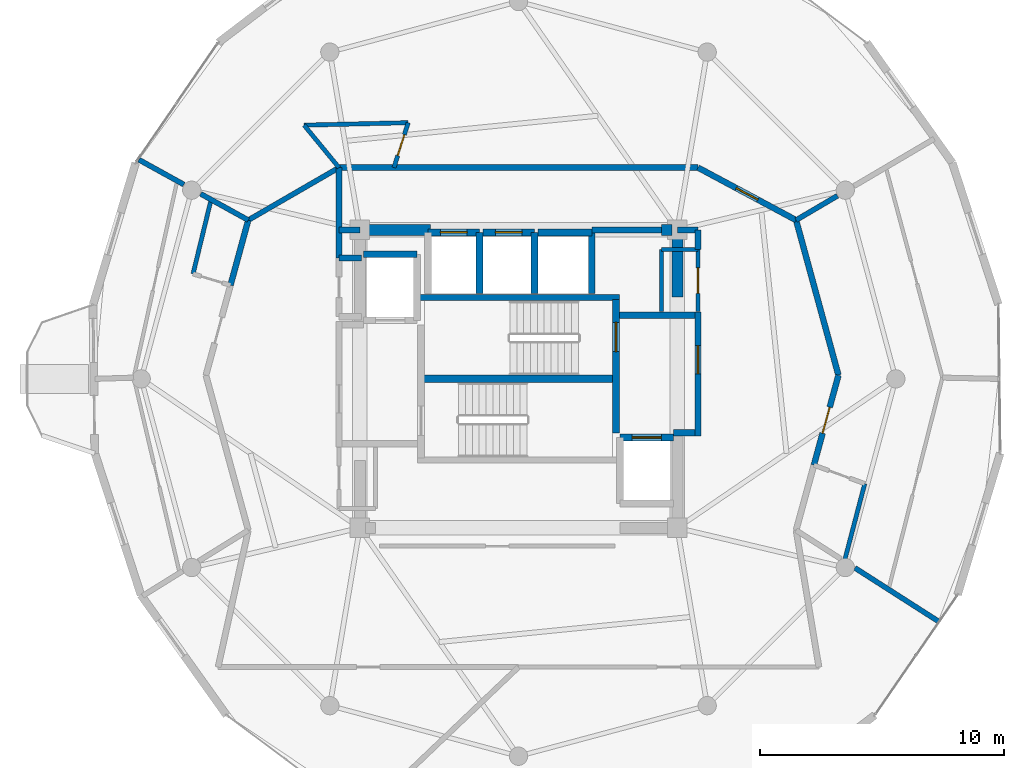
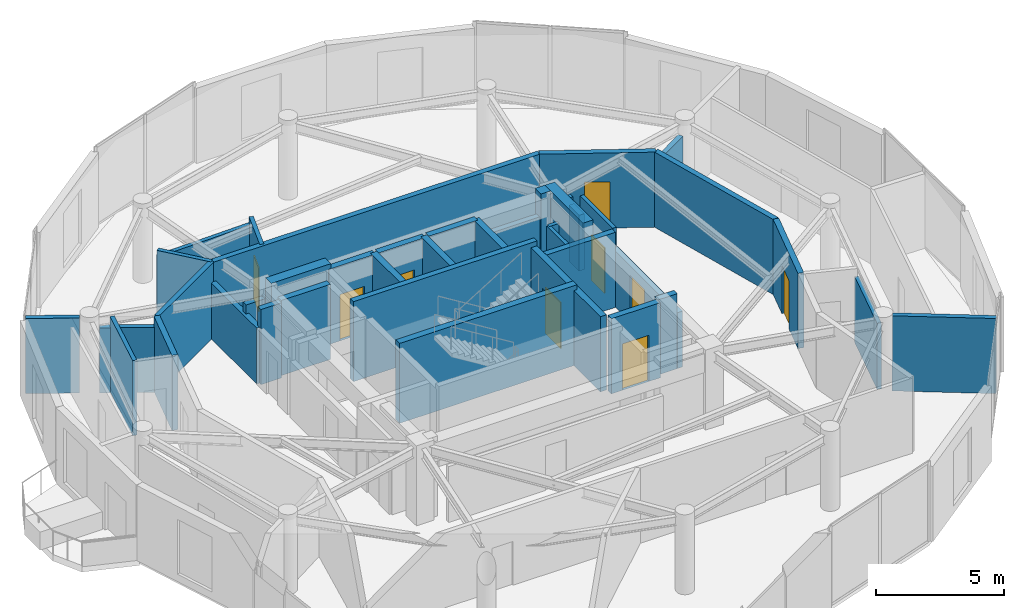
# One storey, part 15 of 18: 41 walls, 9 doors, 9 openings.
"""IFC4 building model written with IfcOpenShell, lengths in metres."""

from ifc_helpers import new_model, si_unit, direction, frame, frame_2d, origin, place, context, subcontext, project, spatial, rectangle, extrude, material, layer, layer_set, type_object, element, fill, save


model = new_model("IFC4")

# Units and contexts
model_context = context("Model", 3, precision=1e-05, world=origin(), true_north=direction((0.0, 1.0)))
body_context = subcontext(model_context, "Body", "Model", "MODEL_VIEW")
ifc_project = project(units=[si_unit("LENGTHUNIT", "METRE"), si_unit("AREAUNIT", "SQUARE_METRE"), si_unit("VOLUMEUNIT", "CUBIC_METRE"), si_unit("PLANEANGLEUNIT", "RADIAN"), si_unit("MASSUNIT", "GRAM", prefix="KILO")], contexts=[model_context])

# Site, building, storey
site_placement = place(None, origin())
site = spatial("IfcSite", under=ifc_project, at=site_placement, CompositionType="ELEMENT")
building_placement = place(site_placement, origin())
building = spatial("IfcBuilding", under=site, at=building_placement, Name="Solvirekh Grand Hotel", CompositionType="ELEMENT")
storey_placement = place(building_placement, frame((0.0, 0.0, 250.60009765625)))
storey = spatial("IfcBuildingStorey", under=building, at=storey_placement, Name="L65", CompositionType="ELEMENT", Elevation=250.60009765625)

# Wall
ifc_material_1 = material(Name="Concrete C50/60", Category="concrete")
ifc_layer_1 = layer(ifc_material_1, 0.35009765625)
ifc_layer_set_1 = layer_set([ifc_layer_1], Name="Concrete C50/60")
wall_type_1 = type_object("IfcWallType", Name="CoreDivWall_RC350", PredefinedType="SOLIDWALL", material=ifc_layer_set_1)
wall_1_placement = place(storey_placement, frame((-4.1298828125, 3.324951171875, 0.0), z_axis=(0.0, 0.0, 1.0), x_axis=(1.0, 0.0, 0.0)))
element("IfcWall", 1, at=wall_1_placement, inside=storey, type_object=wall_type_1, Name="L65 core stair box wall ST-N", PredefinedType="SOLIDWALL", context=body_context, shape_type="SweptSolid", body=[
    extrude(rectangle(XDim=8.259765625, YDim=0.25, at=frame_2d((4.1298828125, 0.0))), origin(), (0.0, 0.0, 1.0), 3.7998046875),
])

# Wall, opening, door
ifc_material_2 = material(Name="Concrete C40/50", Category="concrete")
ifc_layer_2 = layer(ifc_material_2, 0.280029296875)
ifc_layer_set_2 = layer_set([ifc_layer_2], Name="Concrete C40/50")
wall_type_2 = type_object("IfcWallType", Name="CoreShaftWall_RC280", PredefinedType="SOLIDWALL", material=ifc_layer_set_2)
wall_2_placement = place(storey_placement, frame((-1.60009765625, 6.0, 0.0), z_axis=(0.0, 0.0, 1.0), x_axis=(-1.0, 0.0, 0.0)))
wall_2 = element("IfcWall", 2, at=wall_2_placement, inside=storey, type_object=wall_type_2, Name="L65 HP-1 hoistway N wall", PredefinedType="SOLIDWALL", context=body_context, shape_type="SweptSolid", body=[
    extrude(rectangle(XDim=2.099853515625, YDim=0.280029296875, at=frame_2d((1.0498046875, 0.0))), origin(), (0.0, 0.0, 1.0), 3.56982421875),
])
opening_1_placement = place(wall_2_placement, frame((0.5, 0.0, 0.0)))
opening_1 = element("IfcOpeningElement", 3, at=opening_1_placement, cuts=wall_2, Name="Opening LD01", PredefinedType="OPENING", context=body_context, shape_type="SweptSolid", body=[
    extrude(rectangle(XDim=1.10009765625, YDim=2.199951171875, at=frame_2d((0.550048828125, 1.10009765625))), frame((0.0, 0.14990234375, 0.0), z_axis=(0.0, -1.0, 0.0), x_axis=(1.0, 0.0, 0.0)), (0.0, 0.0, 1.0), 0.300048828125),
])
ifc_material_3 = material(Name="Fire-Rated Steel Door Assembly", Category="steel")
door_type_1 = type_object("IfcDoorType", Name="Door_LiftLanding_1100X2200", OperationType="SLIDING_TO_LEFT", PredefinedType="DOOR", material=ifc_material_3)
door_1_placement = place(opening_1_placement, origin())
door_1 = element("IfcDoor", 4, at=door_1_placement, inside=storey, type_object=door_type_1, Name="L65 HP-1 sliding lift landing door", OperationType="SLIDING_TO_LEFT", OverallHeight=2.199951171875, OverallWidth=1.10009765625, PredefinedType="DOOR", context=body_context, shape_type="SweptSolid", body=[
    extrude(rectangle(XDim=1.10009765625, YDim=2.199951171875, at=frame_2d((0.550048828125, 1.10009765625))), frame((0.0, 0.02490234375, 0.0), z_axis=(0.0, -1.0, 0.0), x_axis=(1.0, 0.0, 0.0)), (0.0, 0.0, 1.0), 0.050048828125),
])
fill(opening_1, door_1)

# Wall
wall_3_placement = place(storey_placement, frame((-1.60009765625, 3.5, 0.0), z_axis=(0.0, 0.0, 1.0), x_axis=(0.0, 1.0, 0.0)))
element("IfcWall", 5, at=wall_3_placement, inside=storey, type_object=wall_type_2, Name="L65 HP-1 hoistway E wall", PredefinedType="SOLIDWALL", context=body_context, shape_type="SweptSolid", body=[
    extrude(rectangle(XDim=2.5, YDim=0.280029296875, at=frame_2d((1.25, 0.0))), origin(), (0.0, 0.0, 1.0), 3.56982421875),
])

# Wall, opening, door
wall_4_placement = place(storey_placement, frame((0.64990234375, 6.0, 0.0), z_axis=(0.0, 0.0, 1.0), x_axis=(-1.0, 0.0, 0.0)))
wall_4 = element("IfcWall", 6, at=wall_4_placement, inside=storey, type_object=wall_type_2, Name="L65 HP-2 hoistway N wall", PredefinedType="SOLIDWALL", context=body_context, shape_type="SweptSolid", body=[
    extrude(rectangle(XDim=2.099853515625, YDim=0.280029296875, at=frame_2d((1.0498046875, 0.0))), origin(), (0.0, 0.0, 1.0), 3.56982421875),
])
opening_2_placement = place(wall_4_placement, frame((0.5, 0.0, 0.0)))
opening_2 = element("IfcOpeningElement", 7, at=opening_2_placement, cuts=wall_4, Name="Opening LD01", PredefinedType="OPENING", context=body_context, shape_type="SweptSolid", body=[
    extrude(rectangle(XDim=1.10009765625, YDim=2.199951171875, at=frame_2d((0.550048828125, 1.10009765625))), frame((0.0, 0.14990234375, 0.0), z_axis=(0.0, -1.0, 0.0), x_axis=(1.0, 0.0, 0.0)), (0.0, 0.0, 1.0), 0.300048828125),
])
door_2_placement = place(opening_2_placement, origin())
door_2 = element("IfcDoor", 8, at=door_2_placement, inside=storey, type_object=door_type_1, Name="L65 HP-2 sliding lift landing door", OperationType="SLIDING_TO_LEFT", OverallHeight=2.199951171875, OverallWidth=1.10009765625, PredefinedType="DOOR", context=body_context, shape_type="SweptSolid", body=[
    extrude(rectangle(XDim=1.10009765625, YDim=2.199951171875, at=frame_2d((0.550048828125, 1.10009765625))), frame((0.0, 0.02490234375, 0.0), z_axis=(0.0, -1.0, 0.0), x_axis=(1.0, 0.0, 0.0)), (0.0, 0.0, 1.0), 0.050048828125),
])
fill(opening_2, door_2)

# Walls
wall_5_placement = place(storey_placement, frame((0.64990234375, 3.5, 0.0), z_axis=(0.0, 0.0, 1.0), x_axis=(0.0, 1.0, 0.0)))
element("IfcWall", 9, at=wall_5_placement, inside=storey, type_object=wall_type_2, Name="L65 HP-2 hoistway E wall", PredefinedType="SOLIDWALL", context=body_context, shape_type="SweptSolid", body=[
    extrude(rectangle(XDim=2.5, YDim=0.280029296875, at=frame_2d((1.25, 0.0))), origin(), (0.0, 0.0, 1.0), 3.56982421875),
])
wall_6_placement = place(storey_placement, frame((3.0, 6.0, 0.0), z_axis=(0.0, 0.0, 1.0), x_axis=(-1.0, 0.0, 0.0)))
element("IfcWall", 10, at=wall_6_placement, inside=storey, type_object=wall_type_2, Name="L65 EX-1 hoistway N wall", PredefinedType="SOLIDWALL", context=body_context, shape_type="SweptSolid", body=[
    extrude(rectangle(XDim=2.199951171875, YDim=0.280029296875, at=frame_2d((1.10009765625, 0.0))), origin(), (0.0, 0.0, 1.0), 3.56982421875),
])
wall_7_placement = place(storey_placement, frame((3.0, 3.5, 0.0), z_axis=(0.0, 0.0, 1.0), x_axis=(0.0, 1.0, 0.0)))
element("IfcWall", 11, at=wall_7_placement, inside=storey, type_object=wall_type_2, Name="L65 EX-1 hoistway E wall", PredefinedType="SOLIDWALL", context=body_context, shape_type="SweptSolid", body=[
    extrude(rectangle(XDim=2.5, YDim=0.280029296875, at=frame_2d((1.25, 0.0))), origin(), (0.0, 0.0, 1.0), 3.56982421875),
])
wall_8_placement = place(storey_placement, frame((-4.14990234375, 5.10009765625, 0.0), z_axis=(0.0, 0.0, 1.0), x_axis=(-1.0, 0.0, 0.0)))
element("IfcWall", 12, at=wall_8_placement, inside=storey, type_object=wall_type_2, Name="L65 FL-1 hoistway N wall", PredefinedType="SOLIDWALL", context=body_context, shape_type="SweptSolid", body=[
    extrude(rectangle(XDim=2.2001953125, YDim=0.280029296875, at=frame_2d((1.10009765625, 0.0))), origin(), (0.0, 0.0, 1.0), 3.56982421875),
])

# Wall, opening, door
wall_9_placement = place(storey_placement, frame((6.35009765625, -2.39990234375, 0.0), z_axis=(0.0, 0.0, 1.0), x_axis=(-1.0, 0.0, 0.0)))
wall_9 = element("IfcWall", 13, at=wall_9_placement, inside=storey, type_object=wall_type_2, Name="L65 FL-2 hoistway N wall", PredefinedType="SOLIDWALL", context=body_context, shape_type="SweptSolid", body=[
    extrude(rectangle(XDim=2.2001953125, YDim=0.280029296875, at=frame_2d((1.10009765625, 0.0))), origin(), (0.0, 0.0, 1.0), 3.56982421875),
])
opening_3_placement = place(wall_9_placement, frame((0.5, 0.0, 0.0)))
opening_3 = element("IfcOpeningElement", 14, at=opening_3_placement, cuts=wall_9, Name="Opening LD02", PredefinedType="OPENING", context=body_context, shape_type="SweptSolid", body=[
    extrude(rectangle(XDim=1.199951171875, YDim=2.199951171875, at=frame_2d((0.60009765625, 1.10009765625))), frame((0.0, 0.14990234375, 0.0), z_axis=(0.0, -1.0, 0.0), x_axis=(1.0, 0.0, 0.0)), (0.0, 0.0, 1.0), 0.300048828125),
])
door_type_2 = type_object("IfcDoorType", Name="Door_LiftFF_1200X2200", OperationType="SLIDING_TO_LEFT", PredefinedType="DOOR", material=ifc_material_3)
door_3_placement = place(opening_3_placement, origin())
door_3 = element("IfcDoor", 15, at=door_3_placement, inside=storey, type_object=door_type_2, Name="L65 FL-2 sliding lift landing door", OperationType="SLIDING_TO_LEFT", OverallHeight=2.199951171875, OverallWidth=1.199951171875, PredefinedType="DOOR", context=body_context, shape_type="SweptSolid", body=[
    extrude(rectangle(XDim=1.199951171875, YDim=2.199951171875, at=frame_2d((0.60009765625, 1.10009765625))), frame((0.0, 0.02490234375, 0.0), z_axis=(0.0, -1.0, 0.0), x_axis=(1.0, 0.0, 0.0)), (0.0, 0.0, 1.0), 0.050048828125),
])
fill(opening_3, door_3)

wall_10_placement = place(storey_placement, frame((3.989990234375, -2.2099609375, 0.0), z_axis=(0.0, 0.0, 1.0), x_axis=(0.0, 1.0, 0.0)))
wall_10 = element("IfcWall", 16, at=wall_10_placement, inside=storey, type_object=wall_type_2, Name="L65 east stair landing enclosure wall", PredefinedType="SOLIDWALL", context=body_context, shape_type="SweptSolid", body=[
    extrude(rectangle(XDim=5.4599609375, YDim=0.280029296875, at=frame_2d((2.72998046875, 0.0))), origin(), (0.0, 0.0, 1.0), 3.56982421875),
])
opening_4_placement = place(wall_10_placement, frame((3.322998046875, 0.0, 0.0)))
opening_4 = element("IfcOpeningElement", 17, at=opening_4_placement, cuts=wall_10, Name="Opening D05", PredefinedType="OPENING", context=body_context, shape_type="SweptSolid", body=[
    extrude(rectangle(XDim=1.199951171875, YDim=2.199951171875, at=frame_2d((0.60009765625, 1.10009765625))), frame((0.0, 0.14990234375, 0.0), z_axis=(0.0, -1.0, 0.0), x_axis=(1.0, 0.0, 0.0)), (0.0, 0.0, 1.0), 0.300048828125),
])
door_type_3 = type_object("IfcDoorType", Name="Door_StairCore_1200X2200", OperationType="NOTDEFINED", PredefinedType="DOOR", material=ifc_material_3)
door_4_placement = place(opening_4_placement, origin())
door_4 = element("IfcDoor", 18, at=door_4_placement, inside=storey, type_object=door_type_3, Name="L65 exit stair ST-2 fire door", OperationType="SINGLE_SWING_RIGHT", OverallHeight=2.199951171875, OverallWidth=1.199951171875, PredefinedType="DOOR", context=body_context, shape_type="SweptSolid", body=[
    extrude(rectangle(XDim=1.199951171875, YDim=2.199951171875, at=frame_2d((0.60009765625, 1.10009765625))), frame((0.0, 0.02490234375, 0.0), z_axis=(0.0, -1.0, 0.0), x_axis=(1.0, 0.0, 0.0)), (0.0, 0.0, 1.0), 0.050048828125),
])
fill(opening_4, door_4)

# Walls
ifc_layer_3 = layer(ifc_material_1, 0.449951171875)
ifc_layer_set_3 = layer_set([ifc_layer_3], Name="Concrete C50/60")
wall_type_3 = type_object("IfcWallType", Name="CoreWall_RC450", PredefinedType="SHEAR", material=ifc_layer_set_3)
wall_11_placement = place(storey_placement, frame((-3.989990234375, 0.0, 0.0), z_axis=(0.0, 0.0, 1.0), x_axis=(1.0, 0.0, 0.0)))
element("IfcWall", 19, at=wall_11_placement, inside=storey, type_object=wall_type_3, Name="L65 central stair-spine shear wall", PredefinedType="SHEAR", context=body_context, shape_type="SweptSolid", body=[
    extrude(rectangle(XDim=7.97998046875, YDim=0.300048828125, at=frame_2d((3.989990234375, 0.0))), origin(), (0.0, 0.0, 1.0), 3.7998046875),
])
wall_12_placement = place(storey_placement, frame((-6.27490234375, 6.10009765625, 0.0), z_axis=(0.0, 0.0, 1.0), x_axis=(1.0, 0.0, 0.0)))
element("IfcWall", 20, at=wall_12_placement, inside=storey, type_object=wall_type_3, Name="L65 core corner shear wall NW-N", PredefinedType="SHEAR", context=body_context, shape_type="SweptSolid", body=[
    extrude(rectangle(XDim=2.6748046875, YDim=0.449951171875, at=frame_2d((1.33740234375, 0.0))), origin(), (0.0, 0.0, 1.0), 3.7998046875),
])
wall_13_placement = place(storey_placement, frame((5.85009765625, 6.10009765625, 0.0), z_axis=(0.0, 0.0, 1.0), x_axis=(1.0, 0.0, 0.0)))
element("IfcWall", 21, at=wall_13_placement, inside=storey, type_object=wall_type_3, Name="L65 core corner shear wall NE-N", PredefinedType="SHEAR", context=body_context, shape_type="SweptSolid", body=[
    extrude(rectangle(XDim=0.4248046875, YDim=0.449951171875, at=frame_2d((0.21240234375, 0.0))), origin(), (0.0, 0.0, 1.0), 3.7998046875),
])
wall_14_placement = place(storey_placement, frame((6.5, 3.35009765625, 0.0), z_axis=(0.0, 0.0, 1.0), x_axis=(0.0, 1.0, 0.0)))
element("IfcWall", 22, at=wall_14_placement, inside=storey, type_object=wall_type_3, Name="L65 core corner shear wall EN-E", PredefinedType="SHEAR", context=body_context, shape_type="SweptSolid", body=[
    extrude(rectangle(XDim=2.974853515625, YDim=0.449951171875, at=frame_2d((1.4873046875, 0.0))), origin(), (0.0, 0.0, 1.0), 3.7998046875),
])

# Wall, opening, door
ifc_material_4 = material(Name="Acoustic Gypsum Partition Assembly")
ifc_layer_4 = layer(ifc_material_4, 0.1650390625)
ifc_layer_set_4 = layer_set([ifc_layer_4], Name="Acoustic Gypsum Partition Assembly")
wall_type_4 = type_object("IfcWallType", Name="Part_BOH_165", PredefinedType="PARTITIONING", material=ifc_layer_set_4)
wall_15_placement = place(storey_placement, frame((7.35009765625, 2.75, 0.0), z_axis=(0.0, 0.0, 1.0), x_axis=(0.0, 1.0, 0.0)))
wall_15 = element("IfcWall", 23, at=wall_15_placement, inside=storey, type_object=wall_type_4, Name="L65 L65 Telecom Distribution Room wall 2", PredefinedType="PARTITIONING", context=body_context, shape_type="SweptSolid", body=[
    extrude(rectangle(XDim=2.550048828125, YDim=0.1650390625, at=frame_2d((1.27490234375, 0.0))), origin(), (0.0, 0.0, 1.0), 3.56982421875),
])
opening_5_placement = place(wall_15_placement, frame((0.75, 0.0, 0.0)))
opening_5 = element("IfcOpeningElement", 24, at=opening_5_placement, cuts=wall_15, Name="Opening D12", PredefinedType="OPENING", context=body_context, shape_type="SweptSolid", body=[
    extrude(rectangle(XDim=1.050048828125, YDim=2.14990234375, at=frame_2d((0.52490234375, 1.074951171875))), frame((0.0, 0.092529296875, 0.0), z_axis=(0.0, -1.0, 0.0), x_axis=(1.0, 0.0, 0.0)), (0.0, 0.0, 1.0), 0.18505859375),
])
door_type_4 = type_object("IfcDoorType", Name="Door_PlantBOH_1050X2150", OperationType="NOTDEFINED", PredefinedType="DOOR", material=ifc_material_3)
door_5_placement = place(opening_5_placement, origin())
door_5 = element("IfcDoor", 25, at=door_5_placement, inside=storey, type_object=door_type_4, Name="L65 L65 Telecom Distribution Room door", OperationType="SINGLE_SWING_LEFT", OverallHeight=2.14990234375, OverallWidth=1.050048828125, PredefinedType="DOOR", context=body_context, shape_type="SweptSolid", body=[
    extrude(rectangle(XDim=1.050048828125, YDim=2.14990234375, at=frame_2d((0.52490234375, 1.074951171875))), frame((0.0, 0.02490234375, 0.0), z_axis=(0.0, -1.0, 0.0), x_axis=(1.0, 0.0, 0.0)), (0.0, 0.0, 1.0), 0.050048828125),
])
fill(opening_5, door_5)

# Walls
wall_16_placement = place(storey_placement, frame((7.35009765625, 5.300048828125, 0.0), z_axis=(0.0, 0.0, 1.0), x_axis=(-1.0, 0.0, 0.0)))
element("IfcWall", 26, at=wall_16_placement, inside=storey, type_object=wall_type_4, Name="L65 L65 Telecom Distribution Room wall 3", PredefinedType="PARTITIONING", context=body_context, shape_type="SweptSolid", body=[
    extrude(rectangle(XDim=1.5, YDim=0.1650390625, at=frame_2d((0.75, 0.0))), origin(), (0.0, 0.0, 1.0), 2.65478515625),
])
wall_17_placement = place(storey_placement, frame((5.85009765625, 5.300048828125, 0.0), z_axis=(0.0, 0.0, 1.0), x_axis=(0.0, -1.0, 0.0)))
element("IfcWall", 27, at=wall_17_placement, inside=storey, type_object=wall_type_4, Name="L65 L65 Telecom Distribution Room wall 4", PredefinedType="PARTITIONING", context=body_context, shape_type="SweptSolid", body=[
    extrude(rectangle(XDim=2.550048828125, YDim=0.1650390625, at=frame_2d((1.27490234375, 0.0))), origin(), (0.0, 0.0, 1.0), 2.65478515625),
])

# Wall, opening, door
ifc_layer_5 = layer(ifc_material_4, 0.239990234375)
ifc_layer_set_5 = layer_set([ifc_layer_5], Name="Acoustic Gypsum Partition Assembly")
wall_type_5 = type_object("IfcWallType", Name="Part_Corridor_240", PredefinedType="PARTITIONING", material=ifc_layer_set_5)
wall_18_placement = place(storey_placement, frame((7.35009765625, -2.340087890625, 0.0), z_axis=(0.0, 0.0, 1.0), x_axis=(0.0, 1.0, 0.0)))
wall_18 = element("IfcWall", 28, at=wall_18_placement, inside=storey, type_object=wall_type_5, Name="L65 east firefighting lobby smoke screen wall", PredefinedType="PARTITIONING", context=body_context, shape_type="SweptSolid", body=[
    extrude(rectangle(XDim=5.070068359375, YDim=0.239990234375, at=frame_2d((2.53515625, 0.0))), origin(), (0.0, 0.0, 1.0), 2.65478515625),
])
opening_6_placement = place(wall_18_placement, frame((2.548095703125, 0.0, 0.0)))
opening_6 = element("IfcOpeningElement", 29, at=opening_6_placement, cuts=wall_18, Name="Opening D06", PredefinedType="OPENING", context=body_context, shape_type="SweptSolid", body=[
    extrude(rectangle(XDim=1.14990234375, YDim=2.199951171875, at=frame_2d((0.574951171875, 1.10009765625))), frame((0.0, 0.1298828125, 0.0), z_axis=(0.0, -1.0, 0.0), x_axis=(1.0, 0.0, 0.0)), (0.0, 0.0, 1.0), 0.260009765625),
])
door_type_5 = type_object("IfcDoorType", Name="Door_FFLobby_1150X2200", OperationType="NOTDEFINED", PredefinedType="DOOR", material=ifc_material_3)
door_6_placement = place(opening_6_placement, origin())
door_6 = element("IfcDoor", 30, at=door_6_placement, inside=storey, type_object=door_type_5, Name="L65 east firefighting lobby smoke door", OperationType="SINGLE_SWING_RIGHT", OverallHeight=2.199951171875, OverallWidth=1.14990234375, PredefinedType="DOOR", context=body_context, shape_type="SweptSolid", body=[
    extrude(rectangle(XDim=1.14990234375, YDim=2.199951171875, at=frame_2d((0.574951171875, 1.10009765625))), frame((0.0, 0.02490234375, 0.0), z_axis=(0.0, -1.0, 0.0), x_axis=(1.0, 0.0, 0.0)), (0.0, 0.0, 1.0), 0.050048828125),
])
fill(opening_6, door_6)

# Walls
wall_19_placement = place(storey_placement, frame((-7.35009765625, 8.64990234375, 0.0), z_axis=(0.0, 0.0, 1.0), x_axis=(1.0, 0.0, 0.0)))
element("IfcWall", 31, at=wall_19_placement, inside=storey, type_object=wall_type_5, Name="L65 north lift lobby enclosure wall", PredefinedType="PARTITIONING", context=body_context, shape_type="SweptSolid", body=[
    extrude(rectangle(XDim=14.7001953125, YDim=0.239990234375, at=frame_2d((7.35009765625, 0.0))), origin(), (0.0, 0.0, 1.0), 3.56982421875),
])
wall_20_placement = place(storey_placement, frame((3.0, 6.10009765625, 0.0), z_axis=(0.0, 0.0, 1.0), x_axis=(1.0, 0.0, 0.0)))
element("IfcWall", 32, at=wall_20_placement, inside=storey, type_object=wall_type_5, Name="L65 north core shaft infill wall", PredefinedType="PARTITIONING", context=body_context, shape_type="SweptSolid", body=[
    extrude(rectangle(XDim=2.85009765625, YDim=0.239990234375, at=frame_2d((1.425048828125, 0.0))), origin(), (0.0, 0.0, 1.0), 2.65478515625),
])
wall_21_placement = place(storey_placement, frame((7.35009765625, 5.300048828125, 0.0), z_axis=(0.0, 0.0, 1.0), x_axis=(0.0, 1.0, 0.0)))
element("IfcWall", 33, at=wall_21_placement, inside=storey, type_object=wall_type_5, Name="L65 NE core cheek closure wall", PredefinedType="PARTITIONING", context=body_context, shape_type="SweptSolid", body=[
    extrude(rectangle(XDim=0.800048828125, YDim=0.239990234375, at=frame_2d((0.39990234375, 0.0))), origin(), (0.0, 0.0, 1.0), 2.65478515625),
])
wall_22_placement = place(storey_placement, frame((6.5, 6.10009765625, 0.0), z_axis=(0.0, 0.0, 1.0), x_axis=(1.0, 0.0, 0.0)))
element("IfcWall", 34, at=wall_22_placement, inside=storey, type_object=wall_type_5, Name="L65 NE core corner tie wall", PredefinedType="PARTITIONING", context=body_context, shape_type="SweptSolid", body=[
    extrude(rectangle(XDim=0.85009765625, YDim=0.239990234375, at=frame_2d((0.425048828125, 0.0))), origin(), (0.0, 0.0, 1.0), 3.0859375),
])
wall_23_placement = place(storey_placement, frame((-7.35009765625, 4.949951171875, 0.0), z_axis=(0.0, 0.0, 1.0), x_axis=(0.0, 1.0, 0.0)))
element("IfcWall", 35, at=wall_23_placement, inside=storey, type_object=wall_type_5, Name="L65 north lift lobby west wall", PredefinedType="PARTITIONING", context=body_context, shape_type="SweptSolid", body=[
    extrude(rectangle(XDim=3.699951171875, YDim=0.239990234375, at=frame_2d((1.85009765625, 0.0))), origin(), (0.0, 0.0, 1.0), 2.65478515625),
])
wall_24_placement = place(storey_placement, frame((-7.35009765625, 6.10009765625, 0.0), z_axis=(0.0, 0.0, 1.0), x_axis=(1.0, 0.0, 0.0)))
element("IfcWall", 36, at=wall_24_placement, inside=storey, type_object=wall_type_5, Name="L65 NW core corner closure wall", PredefinedType="PARTITIONING", context=body_context, shape_type="SweptSolid", body=[
    extrude(rectangle(XDim=0.85009765625, YDim=0.239990234375, at=frame_2d((0.425048828125, 0.0))), origin(), (0.0, 0.0, 1.0), 3.0859375),
])

# Wall, opening, door
wall_25_placement = place(storey_placement, frame((7.35009765625, 8.64990234375, 0.0), z_axis=(0.0, 0.0, 1.0), x_axis=(0.881565227264, -0.472062231151, 0.0)))
wall_25 = element("IfcWall", 37, at=wall_25_placement, inside=storey, type_object=wall_type_5, Name="L65 Panorama Suite 6701 entrance wall", PredefinedType="PARTITIONING", context=body_context, shape_type="SweptSolid", body=[
    extrude(rectangle(XDim=4.55419921875, YDim=0.239990234375, at=frame_2d((2.277099609375, 0.0))), origin(), (0.0, 0.0, 1.0), 3.56982421875),
])
opening_7_placement = place(wall_25_placement, frame((1.777099609375, 0.0, 0.0)))
opening_7 = element("IfcOpeningElement", 38, at=opening_7_placement, cuts=wall_25, Name="Opening D07", PredefinedType="OPENING", context=body_context, shape_type="SweptSolid", body=[
    extrude(rectangle(XDim=1.0, YDim=2.199951171875, at=frame_2d((0.5, 1.10009765625))), frame((0.0, 0.1298828125, 0.0), z_axis=(0.0, -1.0, 0.0), x_axis=(1.0, 0.0, 0.0)), (0.0, 0.0, 1.0), 0.260009765625),
])
door_type_6 = type_object("IfcDoorType", Name="Door_GuestEntry_1000X2200", OperationType="NOTDEFINED", PredefinedType="DOOR", material=ifc_material_3)
door_7_placement = place(opening_7_placement, origin())
door_7 = element("IfcDoor", 39, at=door_7_placement, inside=storey, type_object=door_type_6, Name="L65 Panorama Suite 6701 entrance door", OperationType="SINGLE_SWING_RIGHT", OverallHeight=2.199951171875, OverallWidth=1.0, PredefinedType="DOOR", context=body_context, shape_type="SweptSolid", body=[
    extrude(rectangle(XDim=1.0, YDim=2.199951171875, at=frame_2d((0.5, 1.10009765625))), frame((0.0, 0.02490234375, 0.0), z_axis=(0.0, -1.0, 0.0), x_axis=(1.0, 0.0, 0.0)), (0.0, 0.0, 1.0), 0.050048828125),
])
fill(opening_7, door_7)

# Walls
wall_26_placement = place(storey_placement, frame((-11.06494140625, 6.5, 0.0), z_axis=(0.0, 0.0, 1.0), x_axis=(-0.263670269996, -0.964612869871, 0.0)))
element("IfcWall", 40, at=wall_26_placement, inside=storey, type_object=wall_type_5, Name="L65 En-suite Bathroom 6702 corridor backing wall", PredefinedType="PARTITIONING", context=body_context, shape_type="SweptSolid", body=[
    extrude(rectangle(XDim=2.764892578125, YDim=0.239990234375, at=frame_2d((1.38232421875, 0.0))), origin(), (0.0, 0.0, 1.0), 3.56982421875),
])
wall_27_placement = place(storey_placement, frame((13.10009765625, 0.14990234375, 0.0), z_axis=(0.0, 0.0, 1.0), x_axis=(-0.263578683342, 0.964637899778, 0.0)))
element("IfcWall", 41, at=wall_27_placement, inside=storey, type_object=wall_type_5, Name="L65 Executive Suite 6703 Living Room corridor wall 1", PredefinedType="PARTITIONING", context=body_context, shape_type="SweptSolid", body=[
    extrude(rectangle(XDim=6.582763671875, YDim=0.239990234375, at=frame_2d((3.29150390625, 0.0))), origin(), (0.0, 0.0, 1.0), 3.56982421875),
])

# Wall, opening, door
wall_28_placement = place(storey_placement, frame((12.093994140625, -3.532958984375, 0.0), z_axis=(0.0, 0.0, 1.0), x_axis=(0.263528615014, 0.964651579104, 0.0)))
wall_28 = element("IfcWall", 42, at=wall_28_placement, inside=storey, type_object=wall_type_5, Name="L65 Executive Suite 6703 Living Room entrance wall", PredefinedType="PARTITIONING", context=body_context, shape_type="SweptSolid", body=[
    extrude(rectangle(XDim=3.81787109375, YDim=0.239990234375, at=frame_2d((1.908935546875, 0.0))), origin(), (0.0, 0.0, 1.0), 3.56982421875),
])
opening_8_placement = place(wall_28_placement, frame((1.35888671875, 0.0, 0.0)))
opening_8 = element("IfcOpeningElement", 43, at=opening_8_placement, cuts=wall_28, Name="Opening D08", PredefinedType="OPENING", context=body_context, shape_type="SweptSolid", body=[
    extrude(rectangle(XDim=1.10009765625, YDim=2.300048828125, at=frame_2d((0.550048828125, 1.14990234375))), frame((0.0, 0.1298828125, 0.0), z_axis=(0.0, -1.0, 0.0), x_axis=(1.0, 0.0, 0.0)), (0.0, 0.0, 1.0), 0.260009765625),
])
door_type_7 = type_object("IfcDoorType", Name="Door_SuiteEntry_1100X2300", OperationType="NOTDEFINED", PredefinedType="DOOR", material=ifc_material_3)
door_8_placement = place(opening_8_placement, origin())
door_8 = element("IfcDoor", 44, at=door_8_placement, inside=storey, type_object=door_type_7, Name="L65 Executive Suite 6703 Living Room entrance door", OperationType="SINGLE_SWING_RIGHT", OverallHeight=2.300048828125, OverallWidth=1.10009765625, PredefinedType="DOOR", context=body_context, shape_type="SweptSolid", body=[
    extrude(rectangle(XDim=1.10009765625, YDim=2.300048828125, at=frame_2d((0.550048828125, 1.14990234375))), frame((0.0, 0.02490234375, 0.0), z_axis=(0.0, -1.0, 0.0), x_axis=(1.0, 0.0, 0.0)), (0.0, 0.0, 1.0), 0.050048828125),
])
fill(opening_8, door_8)

# Walls
ifc_layer_6 = layer(ifc_material_4, 0.260009765625)
ifc_layer_set_6 = layer_set([ifc_layer_6], Name="Acoustic Gypsum Partition Assembly")
wall_type_6 = type_object("IfcWallType", Name="Part_LobbyFF_260", PredefinedType="PARTITIONING", material=ifc_layer_set_6)
wall_29_placement = place(storey_placement, frame((6.35009765625, -2.2099609375, 0.0), z_axis=(0.0, 0.0, 1.0), x_axis=(1.0, 0.0, 0.0)))
element("IfcWall", 45, at=wall_29_placement, inside=storey, type_object=wall_type_6, Name="L65 east firefighting lobby SE cheek", PredefinedType="PARTITIONING", context=body_context, shape_type="SweptSolid", body=[
    extrude(rectangle(XDim=0.875, YDim=0.260009765625, at=frame_2d((0.4375, 0.0))), origin(), (0.0, 0.0, 1.0), 3.56982421875),
])
wall_30_placement = place(storey_placement, frame((4.1298828125, 2.60009765625, 0.0), z_axis=(0.0, 0.0, 1.0), x_axis=(1.0, 0.0, 0.0)))
element("IfcWall", 46, at=wall_30_placement, inside=storey, type_object=wall_type_6, Name="L65 east firefighting lobby north partition", PredefinedType="PARTITIONING", context=body_context, shape_type="SweptSolid", body=[
    extrude(rectangle(XDim=3.09521484375, YDim=0.260009765625, at=frame_2d((1.547607421875, 0.0))), origin(), (0.0, 0.0, 1.0), 3.56982421875),
])
wall_31_placement = place(storey_placement, frame((-7.35009765625, 4.949951171875, 0.0), z_axis=(0.0, 0.0, 1.0), x_axis=(1.0, 0.0, 0.0)))
element("IfcWall", 47, at=wall_31_placement, inside=storey, type_object=wall_type_6, Name="L65 NW telecom metering cupboard north wall", PredefinedType="PARTITIONING", context=body_context, shape_type="SweptSolid", body=[
    extrude(rectangle(XDim=0.93017578125, YDim=0.260009765625, at=frame_2d((0.465087890625, 0.0))), origin(), (0.0, 0.0, 1.0), 3.56982421875),
])
ifc_layer_7 = layer(ifc_material_4, 0.2099609375)
ifc_layer_set_7 = layer_set([ifc_layer_7], Name="Acoustic Gypsum Partition Assembly")
wall_type_7 = type_object("IfcWallType", Name="Part_SuiteDemise_210", PredefinedType="PARTITIONING", material=ifc_layer_set_7)
wall_32_placement = place(storey_placement, frame((11.364990234375, 6.5, 0.0), z_axis=(0.0, 0.0, 1.0), x_axis=(0.861902264102, 0.507074439443, 0.0)))
element("IfcWall", 48, at=wall_32_placement, inside=storey, type_object=wall_type_7, Name="L65 suite radial wall 2 (A)", PredefinedType="PARTITIONING", context=body_context, shape_type="SweptSolid", body=[
    extrude(rectangle(XDim=1.96435546875, YDim=0.2099609375, at=frame_2d((0.982177734375, 0.0))), origin(), (0.0, 0.0, 1.0), 3.0859375),
])
wall_33_placement = place(storey_placement, frame((-11.06494140625, 6.5, 0.0), z_axis=(0.0, 0.0, 1.0), x_axis=(-0.875272070591, 0.483630853486, 0.0)))
element("IfcWall", 49, at=wall_33_placement, inside=storey, type_object=wall_type_7, Name="L65 suite radial wall 6 (A)", PredefinedType="PARTITIONING", context=body_context, shape_type="SweptSolid", body=[
    extrude(rectangle(XDim=2.226806640625, YDim=0.2099609375, at=frame_2d((1.11328125, 0.0))), origin(), (0.0, 0.0, 1.0), 3.0859375),
])
wall_34_placement = place(storey_placement, frame((-13.700927734375, 7.9560546875, 0.0), z_axis=(0.0, 0.0, 1.0), x_axis=(-0.875359190626, 0.483473150637, 0.0)))
element("IfcWall", 50, at=wall_34_placement, inside=storey, type_object=wall_type_7, Name="L65 suite radial wall 6 (B)", PredefinedType="PARTITIONING", context=body_context, shape_type="SweptSolid", body=[
    extrude(rectangle(XDim=2.103271484375, YDim=0.2099609375, at=frame_2d((1.0517578125, 0.0))), origin(), (0.0, 0.0, 1.0), 3.56982421875),
])
wall_35_placement = place(storey_placement, frame((13.77490234375, -7.740966796875, 0.0), z_axis=(0.0, 0.0, 1.0), x_axis=(0.842483599118, -0.538721992514, 0.0)))
element("IfcWall", 51, at=wall_35_placement, inside=storey, type_object=wall_type_7, Name="L65 suite radial wall 12 (B)", PredefinedType="PARTITIONING", context=body_context, shape_type="SweptSolid", body=[
    extrude(rectangle(XDim=4.052490234375, YDim=0.2099609375, at=frame_2d((2.0263671875, 0.0))), origin(), (0.0, 0.0, 1.0), 3.56982421875),
])
wall_36_placement = place(storey_placement, frame((-11.06494140625, 6.5, 0.0), z_axis=(0.0, 0.0, 1.0), x_axis=(0.865506757898, 0.50089724698, 0.0)))
element("IfcWall", 52, at=wall_36_placement, inside=storey, type_object=wall_type_7, Name="L65 Panorama Suite 6701 dividing partition 1", PredefinedType="PARTITIONING", context=body_context, shape_type="SweptSolid", body=[
    extrude(rectangle(XDim=4.2919921875, YDim=0.2099609375, at=frame_2d((2.14599609375, 0.0))), origin(), (0.0, 0.0, 1.0), 3.56982421875),
])
ifc_layer_8 = layer(ifc_material_4, 0.175048828125)
ifc_layer_set_8 = layer_set([ifc_layer_8], Name="Acoustic Gypsum Partition Assembly")
wall_type_8 = type_object("IfcWallType", Name="Plumb_Ensuite_175", PredefinedType="PLUMBINGWALL", material=ifc_layer_set_8)
wall_37_placement = place(storey_placement, frame((-8.779052734375, 10.387939453125, 0.0), z_axis=(0.0, 0.0, 1.0), x_axis=(0.999718779303, 0.02371417949, 0.0)))
element("IfcWall", 53, at=wall_37_placement, inside=storey, type_object=wall_type_8, Name="L65 En-suite Bathroom 6701 outer plumbing wall", PredefinedType="PLUMBINGWALL", context=body_context, shape_type="SweptSolid", body=[
    extrude(rectangle(XDim=4.26220703125, YDim=0.175048828125, at=frame_2d((2.131103515625, 0.0))), origin(), (0.0, 0.0, 1.0), 3.251953125),
])
wall_38_placement = place(storey_placement, frame((-8.779052734375, 10.387939453125, 0.0), z_axis=(0.0, 0.0, 1.0), x_axis=(0.635079503828, -0.772446777337, 0.0)))
element("IfcWall", 54, at=wall_38_placement, inside=storey, type_object=wall_type_8, Name="L65 En-suite Bathroom 6701 side plumbing wall", PredefinedType="PLUMBINGWALL", context=body_context, shape_type="SweptSolid", body=[
    extrude(rectangle(XDim=2.25, YDim=0.175048828125, at=frame_2d((1.125, 0.0))), origin(), (0.0, 0.0, 1.0), 3.56982421875),
])

# Wall, opening, door
wall_39_placement = place(storey_placement, frame((-5.10009765625, 8.64990234375, 0.0), z_axis=(0.0, 0.0, 1.0), x_axis=(0.301724909856, 0.953395027663, 0.0)))
wall_39 = element("IfcWall", 55, at=wall_39_placement, inside=storey, type_object=wall_type_8, Name="L65 En-suite Bathroom 6701 entry plumbing wall", PredefinedType="PLUMBINGWALL", context=body_context, shape_type="SweptSolid", body=[
    extrude(rectangle(XDim=1.928955078125, YDim=0.175048828125, at=frame_2d((0.96435546875, 0.0))), origin(), (0.0, 0.0, 1.0), 3.56982421875),
])
opening_9_placement = place(wall_39_placement, frame((0.513916015625, 0.0, 0.0)))
opening_9 = element("IfcOpeningElement", 56, at=opening_9_placement, cuts=wall_39, Name="Opening D09", PredefinedType="OPENING", context=body_context, shape_type="SweptSolid", body=[
    extrude(rectangle(XDim=0.89990234375, YDim=2.10009765625, at=frame_2d((0.449951171875, 1.050048828125))), frame((0.0, 0.09765625, 0.0), z_axis=(0.0, -1.0, 0.0), x_axis=(1.0, 0.0, 0.0)), (0.0, 0.0, 1.0), 0.195068359375),
])
ifc_material_5 = material(Name="Anodized Bronze Aluminium 6063-T6", Category="aluminium")
door_type_8 = type_object("IfcDoorType", Name="Door_Ensuite_900X2100", OperationType="NOTDEFINED", PredefinedType="DOOR", material=ifc_material_5)
door_9_placement = place(opening_9_placement, origin())
door_9 = element("IfcDoor", 57, at=door_9_placement, inside=storey, type_object=door_type_8, Name="L65 En-suite Bathroom 6701 door", OperationType="SINGLE_SWING_LEFT", OverallHeight=2.10009765625, OverallWidth=0.89990234375, PredefinedType="DOOR", context=body_context, shape_type="SweptSolid", body=[
    extrude(rectangle(XDim=0.89990234375, YDim=2.10009765625, at=frame_2d((0.449951171875, 1.050048828125))), frame((0.0, 0.02490234375, 0.0), z_axis=(0.0, -1.0, 0.0), x_axis=(1.0, 0.0, 0.0)), (0.0, 0.0, 1.0), 0.050048828125),
])
fill(opening_9, door_9)

# Walls
wall_40_placement = place(storey_placement, frame((-12.5869140625, 7.341064453125, 0.0), z_axis=(0.0, 0.0, 1.0), x_axis=(-0.236070972306, -0.971735815968, 0.0)))
element("IfcWall", 58, at=wall_40_placement, inside=storey, type_object=wall_type_8, Name="L65 En-suite Bathroom 6702 outer plumbing wall", PredefinedType="PLUMBINGWALL", context=body_context, shape_type="SweptSolid", body=[
    extrude(rectangle(XDim=3.13037109375, YDim=0.175048828125, at=frame_2d((1.565185546875, 0.0))), origin(), (0.0, 0.0, 1.0), 3.56982421875),
])
wall_41_placement = place(storey_placement, frame((13.344970703125, -7.466064453125, 0.0), z_axis=(0.0, 0.0, 1.0), x_axis=(0.253626036533, 0.967302348593, 0.0)))
element("IfcWall", 59, at=wall_41_placement, inside=storey, type_object=wall_type_8, Name="L65 En-suite Bathroom 6703 outer plumbing wall", PredefinedType="PLUMBINGWALL", context=body_context, shape_type="SweptSolid", body=[
    extrude(rectangle(XDim=3.284423828125, YDim=0.175048828125, at=frame_2d((1.64208984375, 0.0))), origin(), (0.0, 0.0, 1.0), 3.138916015625),
])

save(model, "model.ifc")
